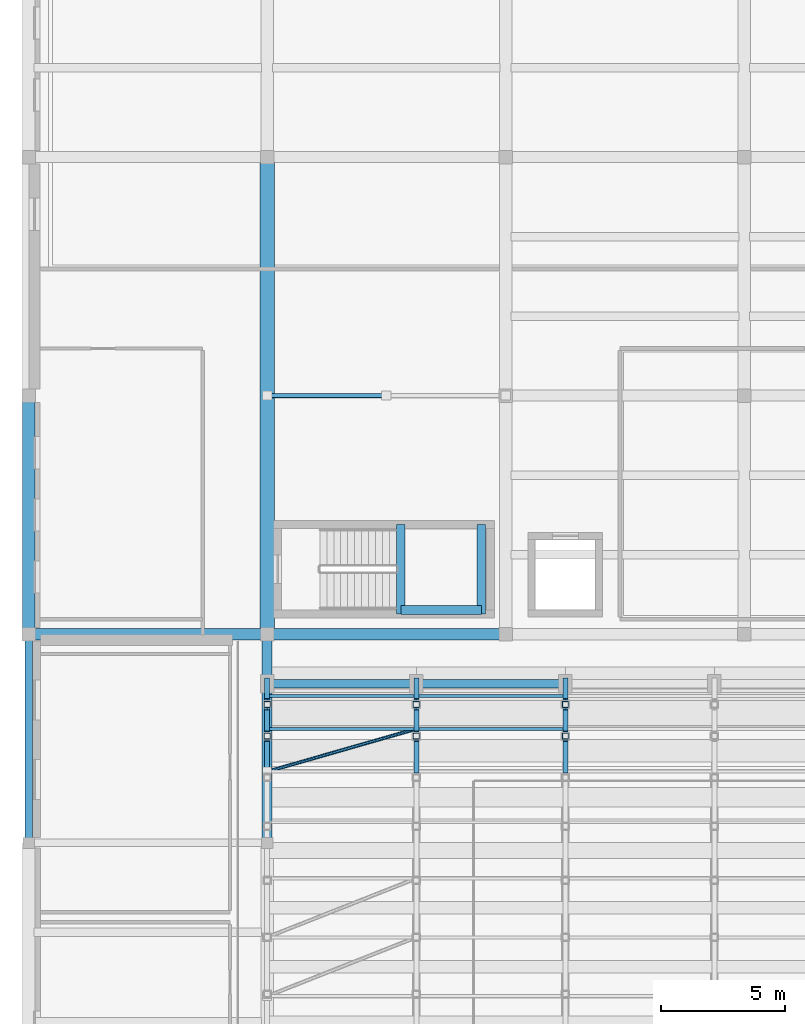
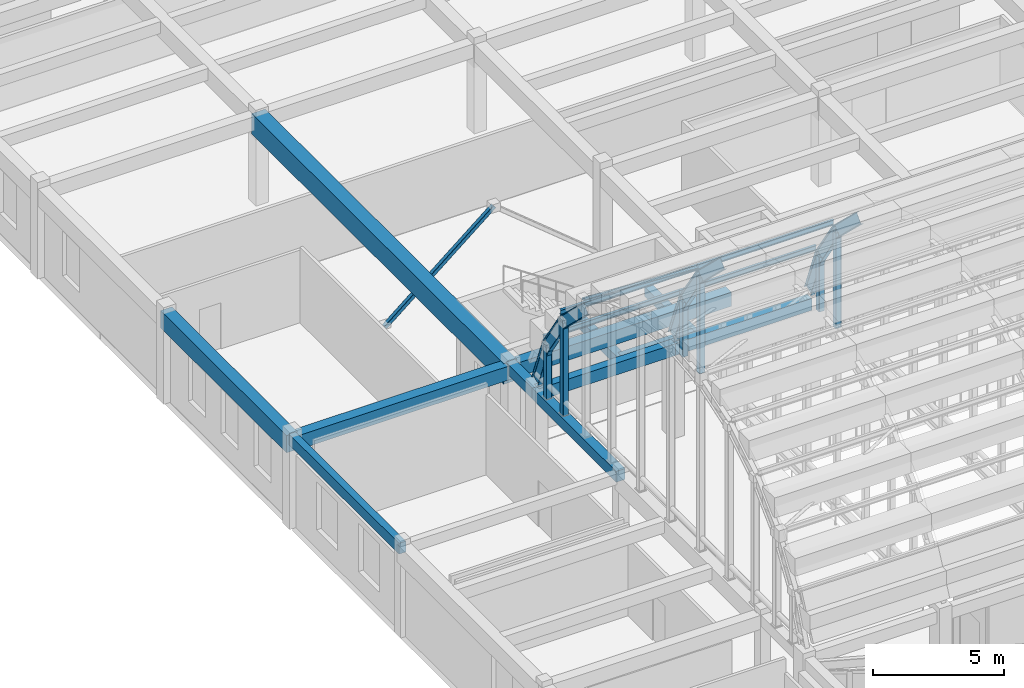
# One storey, part 16 of 91: 21 beams, 12 members.
"""IFC4 building model written with IfcOpenShell, lengths in metres."""

from ifc_helpers import new_model, si_unit, direction, frame, origin, origin_2d, place, context, subcontext, project, spatial, rectangle, hollow_rectangle, hollow_circle, i_section, extrude, material, material_profile, profile_set, type_object, element, save


model = new_model("IFC4")

# Units and contexts
model_context = context("Model", 3, precision=1e-05, world=origin(), true_north=direction((0.0, 1.0)))
body_context = subcontext(model_context, "Body", "Model", "MODEL_VIEW")
ifc_project = project(units=[si_unit("LENGTHUNIT", "METRE"), si_unit("AREAUNIT", "SQUARE_METRE"), si_unit("VOLUMEUNIT", "CUBIC_METRE"), si_unit("PLANEANGLEUNIT", "RADIAN"), si_unit("MASSUNIT", "GRAM", prefix="KILO")], contexts=[model_context])

# Site, building, storey
site_placement = place(None, origin())
site = spatial("IfcSite", under=ifc_project, at=site_placement, CompositionType="ELEMENT")
building_placement = place(site_placement, origin())
building = spatial("IfcBuilding", under=site, at=building_placement, Name="Tarnavel Promenade Courthouse", CompositionType="ELEMENT")
storey_placement = place(building_placement, frame((0.0, 0.0, 9.89990234375)))
storey = spatial("IfcBuildingStorey", under=building, at=storey_placement, Name="L03", CompositionType="ELEMENT", Elevation=9.89990234375)

# Beams
ifc_material_1 = material(Name="Concrete C40/50", Category="concrete")
ifc_material_profile_1 = material_profile(ifc_material_1, rectangle(XDim=0.5, YDim=0.800048828125, at=origin_2d()), Name="PT 500x800")
ifc_profile_set_1 = profile_set([ifc_material_profile_1], Name="Concrete C40/50")
beam_type_1 = type_object("IfcBeamType", Name="Concrete C40/50 BM-PT-500x800 (PT 500x800)", PredefinedType="T_BEAM", material=ifc_profile_set_1)
beam_1_placement = place(storey_placement, frame((0.0, 37.199951171875, 3.795166015625), z_axis=(0.0, 1.0, 0.0), x_axis=(-1.0, 0.0, 0.0)))
element("IfcBeam", 1, at=beam_1_placement, inside=storey, type_object=beam_type_1, Name="L03 Transverse Girder 1690", PredefinedType="T_BEAM", context=body_context, shape_type="SweptSolid", body=[
    extrude(rectangle(XDim=0.5, YDim=0.800048828125, at=origin_2d()), origin(), (0.0, 0.0, 1.0), 9.60009765625),
])
ifc_material_profile_2 = material_profile(ifc_material_1, rectangle(XDim=0.60009765625, YDim=0.949951171875, at=origin_2d()), Name="PT 600x950")
ifc_profile_set_2 = profile_set([ifc_material_profile_2], Name="Concrete C40/50")
beam_type_2 = type_object("IfcBeamType", Name="Concrete C40/50 BM-PT-600x950 (PT 600x950)", PredefinedType="T_BEAM", material=ifc_profile_set_2)
beam_2_placement = place(storey_placement, frame((9.60009765625, 37.199951171875, 3.72021484375), z_axis=(0.0, 1.0, 0.0), x_axis=(-1.0, 0.0, 0.0)))
element("IfcBeam", 2, at=beam_2_placement, inside=storey, type_object=beam_type_2, Name="L03 Transverse Girder 1703", PredefinedType="T_BEAM", context=body_context, shape_type="SweptSolid", body=[
    extrude(rectangle(XDim=0.60009765625, YDim=0.949951171875, at=origin_2d()), origin(), (0.0, 0.0, 1.0), 19.199951171875),
])
ifc_material_profile_3 = material_profile(ifc_material_1, rectangle(XDim=0.35009765625, YDim=0.449951171875, at=origin_2d()), Name="RC 350x450")
ifc_profile_set_3 = profile_set([ifc_material_profile_3], Name="Concrete C40/50")
beam_type_3 = type_object("IfcBeamType", Name="Concrete C40/50 BM-RC-350x450 (RC 350x450)", PredefinedType="BEAM", material=ifc_profile_set_3)
for number, where, z_axis, x_axis, name in (
    (3, (14.97998046875, 38.02001953125, 1.820068359375), (0.0, 1.0, 0.0), (-1.0, 0.0, 0.0), "L03 ST-05 Mid-Landing Support Beam Near"),
    (4, (18.219970703125, 38.02001953125, 1.820068359375), (0.0, 1.0, 0.0), (-1.0, 0.0, 0.0), "L03 ST-05 Mid-Landing Support Beam Far"),
):
    element("IfcBeam", number, at=place(storey_placement, frame(where, z_axis=z_axis, x_axis=x_axis)), inside=storey, type_object=beam_type_3, Name=name, PredefinedType="BEAM", context=body_context, shape_type="SweptSolid", body=[
        extrude(rectangle(XDim=0.35009765625, YDim=0.449951171875, at=origin_2d()), origin(), (0.0, 0.0, 1.0), 3.60009765625),
    ])
beam_3_placement = place(storey_placement, frame((14.97998046875, 38.169921875, 1.820068359375), z_axis=(1.0, 0.0, 0.0), x_axis=(0.0, 1.0, 0.0)))
element("IfcBeam", 5, at=beam_3_placement, inside=storey, type_object=beam_type_3, Name="L03 ST-05 Mid-Landing Edge Trimmer", PredefinedType="BEAM", context=body_context, shape_type="SweptSolid", body=[
    extrude(rectangle(XDim=0.35009765625, YDim=0.449951171875, at=origin_2d()), origin(), (0.0, 0.0, 1.0), 3.239990234375),
])
ifc_material_profile_4 = material_profile(ifc_material_1, rectangle(XDim=0.35009765625, YDim=0.550048828125, at=origin_2d()), Name="RC 350x550")
ifc_profile_set_4 = profile_set([ifc_material_profile_4], Name="Concrete C40/50")
beam_type_4 = type_object("IfcBeamType", Name="Concrete C40/50 BM-RC-350x550 (RC 350x550)", PredefinedType="BEAM", material=ifc_profile_set_4)
for number, where, z_axis, x_axis, name in (
    (6, (9.60009765625, 35.199951171875, 3.97021484375), (1.0, 0.0, 0.0), (0.0, 1.0, 0.0), "L03 Primary Longitudinal Beam 1549"),
    (7, (15.60009765625, 35.199951171875, 3.97021484375), (1.0, 0.0, 0.0), (0.0, 1.0, 0.0), "L03 Primary Longitudinal Beam 1550"),
):
    element("IfcBeam", number, at=place(storey_placement, frame(where, z_axis=z_axis, x_axis=x_axis)), inside=storey, type_object=beam_type_4, Name=name, PredefinedType="BEAM", context=body_context, shape_type="SweptSolid", body=[
        extrude(rectangle(XDim=0.35009765625, YDim=0.550048828125, at=origin_2d()), origin(), (0.0, 0.0, 1.0), 6.0),
    ])
ifc_material_profile_5 = material_profile(ifc_material_1, rectangle(XDim=0.39990234375, YDim=0.5, at=origin_2d()), Name="RC 400x500")
ifc_profile_set_5 = profile_set([ifc_material_profile_5], Name="Concrete C40/50")
beam_type_5 = type_object("IfcBeamType", Name="Concrete C40/50 BM-RC-400x500 (RC 400x500)", PredefinedType="BEAM", material=ifc_profile_set_5)
beam_4_placement = place(storey_placement, frame((9.60009765625, 28.800048828125, 3.9951171875), z_axis=(0.0, 1.0, 0.0), x_axis=(-1.0, 0.0, 0.0)))
element("IfcBeam", 8, at=beam_4_placement, inside=storey, type_object=beam_type_5, Name="L03 Transverse Girder 1701", PredefinedType="BEAM", context=body_context, shape_type="SweptSolid", body=[
    extrude(rectangle(XDim=0.39990234375, YDim=0.5, at=origin_2d()), origin(), (0.0, 0.0, 1.0), 6.39990234375),
])
beam_5_placement = place(storey_placement, frame((9.60009765625, 35.199951171875, 3.9951171875), z_axis=(0.0, 1.0, 0.0), x_axis=(-1.0, 0.0, 0.0)))
element("IfcBeam", 9, at=beam_5_placement, inside=storey, type_object=beam_type_5, Name="L03 Transverse Girder 1702", PredefinedType="BEAM", context=body_context, shape_type="SweptSolid", body=[
    extrude(rectangle(XDim=0.39990234375, YDim=0.5, at=origin_2d()), origin(), (0.0, 0.0, 1.0), 2.0),
])
ifc_material_profile_6 = material_profile(ifc_material_1, rectangle(XDim=0.449951171875, YDim=0.64990234375, at=origin_2d()), Name="RC 450x650")
ifc_profile_set_6 = profile_set([ifc_material_profile_6], Name="Concrete C40/50")
beam_type_6 = type_object("IfcBeamType", Name="Concrete C40/50 BM-RC-450x650 (RC 450x650)", PredefinedType="T_BEAM", material=ifc_profile_set_6)
beam_6_placement = place(storey_placement, frame((0.0, 37.199951171875, 3.8701171875), z_axis=(1.0, 0.0, 0.0), x_axis=(0.0, 1.0, 0.0)))
element("IfcBeam", 10, at=beam_6_placement, inside=storey, type_object=beam_type_6, Name="L03 Primary Longitudinal Beam 1556", PredefinedType="T_BEAM", context=body_context, shape_type="SweptSolid", body=[
    extrude(rectangle(XDim=0.449951171875, YDim=0.64990234375, at=origin_2d()), origin(), (0.0, 0.0, 1.0), 9.60009765625),
])
beam_7_placement = place(storey_placement, frame((9.60009765625, 37.199951171875, 3.8701171875), z_axis=(1.0, 0.0, 0.0), x_axis=(0.0, 1.0, 0.0)))
element("IfcBeam", 11, at=beam_7_placement, inside=storey, type_object=beam_type_6, Name="L03 Primary Longitudinal Beam 1557", PredefinedType="T_BEAM", context=body_context, shape_type="SweptSolid", body=[
    extrude(rectangle(XDim=0.449951171875, YDim=0.64990234375, at=origin_2d()), origin(), (0.0, 0.0, 1.0), 9.599853515625),
])
ifc_material_profile_7 = material_profile(ifc_material_1, rectangle(XDim=0.300048828125, YDim=0.5, at=origin_2d()), Name="RC 300x500")
ifc_profile_set_7 = profile_set([ifc_material_profile_7], Name="Concrete C40/50")
beam_type_7 = type_object("IfcBeamType", Name="Concrete C40/50 BM-SP-300x500 (RC 300x500)", PredefinedType="SPANDREL", material=ifc_profile_set_7)
beam_8_placement = place(storey_placement, frame((0.0, 28.800048828125, 3.9951171875), z_axis=(0.0, 1.0, 0.0), x_axis=(-1.0, 0.0, 0.0)))
element("IfcBeam", 12, at=beam_8_placement, inside=storey, type_object=beam_type_7, Name="L03 Transverse Girder 1689", PredefinedType="SPANDREL", context=body_context, shape_type="SweptSolid", body=[
    extrude(rectangle(XDim=0.300048828125, YDim=0.5, at=origin_2d()), origin(), (0.0, 0.0, 1.0), 8.39990234375),
])
ifc_material_2 = material(Name="Steel S355J2", Category="steel")
ifc_material_profile_8 = material_profile(ifc_material_2, i_section(OverallWidth=0.199951171875, OverallDepth=0.5, WebThickness=0.01025390625, FlangeThickness=0.01611328125, FilletRadius=0.02099609375, at=origin_2d()), Name="IPE 500")
ifc_profile_set_8 = profile_set([ifc_material_profile_8], Name="Steel S355J2")
beam_type_8 = type_object("IfcBeamType", Name="Steel S355J2 BM-AR-IPE500 (IPE 500)", PredefinedType="T_BEAM", material=ifc_profile_set_8)
beam_9_placement = place(storey_placement, frame((9.60009765625, 31.435546875, 10.160400390625), z_axis=(0.0, 0.721173265551, -0.692754733693), x_axis=(-1.0, 0.0, 0.0)))
element("IfcBeam", 13, at=beam_9_placement, inside=storey, type_object=beam_type_8, Name="V4 Barrel Vault Arch Rib 01 Chord 10", PredefinedType="T_BEAM", context=body_context, shape_type="SweptSolid", body=[
    extrude(i_section(OverallWidth=0.199951171875, OverallDepth=0.5, WebThickness=0.01025390625, FlangeThickness=0.01611328125, FilletRadius=0.02099609375, at=origin_2d()), origin(), (0.0, 0.0, 1.0), 2.30224609375),
])
for number, where, z_axis, x_axis, name in (
    (14, (9.60009765625, 33.095947265625, 8.5654296875), (0.0, 0.553794535045, -0.832653357019), (-1.0, 0.0, 0.0), "V4 Barrel Vault Arch Rib 01 Chord 11"),
    (15, (9.60009765625, 34.37109375, 6.648193359375), (0.0, 0.359973594692, -0.93296249181), (-1.0, 0.0, 0.0), "V4 Barrel Vault Arch Rib 01 Chord 12"),
):
    element("IfcBeam", number, at=place(storey_placement, frame(where, z_axis=z_axis, x_axis=x_axis)), inside=storey, type_object=beam_type_8, Name=name, PredefinedType="T_BEAM", context=body_context, shape_type="SweptSolid", body=[
        extrude(i_section(OverallWidth=0.199951171875, OverallDepth=0.5, WebThickness=0.01025390625, FlangeThickness=0.01611328125, FilletRadius=0.02099609375, at=origin_2d()), origin(), (0.0, 0.0, 1.0), 2.302490234375),
    ])
beam_10_placement = place(storey_placement, frame((15.60009765625, 31.435546875, 10.160400390625), z_axis=(0.0, 0.721173265551, -0.692754733693), x_axis=(-1.0, 0.0, 0.0)))
element("IfcBeam", 16, at=beam_10_placement, inside=storey, type_object=beam_type_8, Name="V4 Barrel Vault Arch Rib 02 Chord 10", PredefinedType="T_BEAM", context=body_context, shape_type="SweptSolid", body=[
    extrude(i_section(OverallWidth=0.199951171875, OverallDepth=0.5, WebThickness=0.01025390625, FlangeThickness=0.01611328125, FilletRadius=0.02099609375, at=origin_2d()), origin(), (0.0, 0.0, 1.0), 2.30224609375),
])
for number, where, z_axis, x_axis, name in (
    (17, (15.60009765625, 33.095947265625, 8.5654296875), (0.0, 0.553794535045, -0.832653357019), (-1.0, 0.0, 0.0), "V4 Barrel Vault Arch Rib 02 Chord 11"),
    (18, (15.60009765625, 34.37109375, 6.648193359375), (0.0, 0.359973594692, -0.93296249181), (-1.0, 0.0, 0.0), "V4 Barrel Vault Arch Rib 02 Chord 12"),
):
    element("IfcBeam", number, at=place(storey_placement, frame(where, z_axis=z_axis, x_axis=x_axis)), inside=storey, type_object=beam_type_8, Name=name, PredefinedType="T_BEAM", context=body_context, shape_type="SweptSolid", body=[
        extrude(i_section(OverallWidth=0.199951171875, OverallDepth=0.5, WebThickness=0.01025390625, FlangeThickness=0.01611328125, FilletRadius=0.02099609375, at=origin_2d()), origin(), (0.0, 0.0, 1.0), 2.302490234375),
    ])
beam_11_placement = place(storey_placement, frame((21.60009765625, 31.435546875, 10.160400390625), z_axis=(0.0, 0.721173265551, -0.692754733693), x_axis=(-1.0, 0.0, 0.0)))
element("IfcBeam", 19, at=beam_11_placement, inside=storey, type_object=beam_type_8, Name="V4 Barrel Vault Arch Rib 03 Chord 10", PredefinedType="T_BEAM", context=body_context, shape_type="SweptSolid", body=[
    extrude(i_section(OverallWidth=0.199951171875, OverallDepth=0.5, WebThickness=0.01025390625, FlangeThickness=0.01611328125, FilletRadius=0.02099609375, at=origin_2d()), origin(), (0.0, 0.0, 1.0), 2.30224609375),
])
for number, where, z_axis, x_axis, name in (
    (20, (21.60009765625, 33.095947265625, 8.5654296875), (0.0, 0.553794535045, -0.832653357019), (-1.0, 0.0, 0.0), "V4 Barrel Vault Arch Rib 03 Chord 11"),
    (21, (21.60009765625, 34.37109375, 6.648193359375), (0.0, 0.359973594692, -0.93296249181), (-1.0, 0.0, 0.0), "V4 Barrel Vault Arch Rib 03 Chord 12"),
):
    element("IfcBeam", number, at=place(storey_placement, frame(where, z_axis=z_axis, x_axis=x_axis)), inside=storey, type_object=beam_type_8, Name=name, PredefinedType="T_BEAM", context=body_context, shape_type="SweptSolid", body=[
        extrude(i_section(OverallWidth=0.199951171875, OverallDepth=0.5, WebThickness=0.01025390625, FlangeThickness=0.01611328125, FilletRadius=0.02099609375, at=origin_2d()), origin(), (0.0, 0.0, 1.0), 2.302490234375),
    ])

# Members
ifc_material_profile_9 = material_profile(ifc_material_2, hollow_circle(Radius=0.06982421875, WallThickness=0.008056640625, at=origin_2d()), Name="CHS 139.7x8")
ifc_profile_set_9 = profile_set([ifc_material_profile_9], Name="Steel S355J2")
member_type_1 = type_object("IfcMemberType", Name="Steel S355J2 MEM-BR-CHS140 (CHS 139.7x8)", PredefinedType="BRACE", material=ifc_profile_set_9)
member_1_placement = place(storey_placement, frame((9.60009765625, 31.667236328125, 10.46142578125), z_axis=(0.929253407327, 0.266457062233, -0.255907676627), x_axis=(-0.27563538244, 0.961262261793, 0.0)))
element("IfcMember", 22, at=member_1_placement, inside=storey, type_object=member_type_1, Name="V4 Barrel Vault Roof Brace 01-09", PredefinedType="BRACE", context=body_context, shape_type="SweptSolid", body=[
    extrude(hollow_circle(Radius=0.06982421875, WallThickness=0.008056640625, at=origin_2d()), origin(), (0.0, 0.0, 1.0), 6.456787109375),
])
ifc_material_profile_10 = material_profile(ifc_material_2, hollow_rectangle(XDim=0.179931640625, YDim=0.179931640625, WallThickness=0.010009765625, InnerFilletRadius=0.010009765625, OuterFilletRadius=0.02001953125, at=origin_2d()), Name="SHS 180x180x10")
ifc_profile_set_10 = profile_set([ifc_material_profile_10], Name="Steel S355J2")
member_type_2 = type_object("IfcMemberType", Name="Steel S355J2 MEM-BR-SHS180 (SHS 180x180x10)", PredefinedType="BRACE", material=ifc_profile_set_10)
member_2_placement = place(storey_placement, frame((9.60009765625, 46.800048828125, 0.0), z_axis=(0.772538993723, 0.0, 0.634967324495), x_axis=(0.0, 1.0, 0.0)))
element("IfcMember", 23, at=member_2_placement, inside=storey, type_object=member_type_2, Name="L03 V3 Chevron Brace A 045", PredefinedType="BRACE", context=body_context, shape_type="SweptSolid", body=[
    extrude(hollow_rectangle(XDim=0.179931640625, YDim=0.179931640625, WallThickness=0.010009765625, InnerFilletRadius=0.010009765625, OuterFilletRadius=0.02001953125, at=origin_2d()), origin(), (0.0, 0.0, 1.0), 6.213134765625),
])
ifc_material_profile_11 = material_profile(ifc_material_2, i_section(OverallWidth=0.1201171875, OverallDepth=0.239990234375, WebThickness=0.006103515625, FlangeThickness=0.009765625, FilletRadius=0.014892578125, at=origin_2d()), Name="IPE 240")
ifc_profile_set_11 = profile_set([ifc_material_profile_11], Name="Steel S355J2")
member_type_3 = type_object("IfcMemberType", Name="Steel S355J2 MEM-PUR-IPE240 (IPE 240)", PredefinedType="PURLIN", material=ifc_profile_set_11)
for number, where, z_axis, x_axis, name in (
    (24, (9.60009765625, 33.3876953125, 8.80908203125), (1.0, 0.0, 0.0), (0.0, 1.0, 0.0), "V4 Barrel Vault Purlin 01-10"),
    (25, (9.60009765625, 34.708740234375, 6.822998046875), (1.0, 0.0, 0.0), (0.0, 1.0, 0.0), "V4 Barrel Vault Purlin 01-11"),
    (26, (15.60009765625, 33.3876953125, 8.80908203125), (1.0, 0.0, 0.0), (0.0, 1.0, 0.0), "V4 Barrel Vault Purlin 02-10"),
    (27, (15.60009765625, 34.708740234375, 6.822998046875), (1.0, 0.0, 0.0), (0.0, 1.0, 0.0), "V4 Barrel Vault Purlin 02-11"),
):
    element("IfcMember", number, at=place(storey_placement, frame(where, z_axis=z_axis, x_axis=x_axis)), inside=storey, type_object=member_type_3, Name=name, PredefinedType="PURLIN", context=body_context, shape_type="SweptSolid", body=[
        extrude(i_section(OverallWidth=0.1201171875, OverallDepth=0.239990234375, WebThickness=0.006103515625, FlangeThickness=0.009765625, FilletRadius=0.014892578125, at=origin_2d()), origin(), (0.0, 0.0, 1.0), 6.0),
    ])
ifc_material_profile_12 = material_profile(ifc_material_2, hollow_rectangle(XDim=0.25, YDim=0.25, WallThickness=0.012451171875, InnerFilletRadius=0.012451171875, OuterFilletRadius=0.02490234375, at=origin_2d()), Name="SHS 250x250x12.5")
ifc_profile_set_12 = profile_set([ifc_material_profile_12], Name="Steel S355J2")
member_type_4 = type_object("IfcMemberType", Name="Steel S355J2 MEM-STR-SHS250 (SHS 250x250x12.5)", PredefinedType="STRUT", material=ifc_profile_set_12)
member_3_placement = place(storey_placement, frame((9.60009765625, 33.095947265625, 4.1201171875), z_axis=(0.0, 0.0, 1.0), x_axis=(1.0, 0.0, 0.0)))
element("IfcMember", 28, at=member_3_placement, inside=storey, type_object=member_type_4, Name="V4 Vault Arch Web Strut 01-10", PredefinedType="STRUT", context=body_context, shape_type="SweptSolid", body=[
    extrude(hollow_rectangle(XDim=0.25, YDim=0.25, WallThickness=0.012451171875, InnerFilletRadius=0.012451171875, OuterFilletRadius=0.02490234375, at=origin_2d()), origin(), (0.0, 0.0, 1.0), 4.4453125),
])
member_4_placement = place(storey_placement, frame((9.60009765625, 34.37109375, 4.1201171875), z_axis=(0.0, 0.0, 1.0), x_axis=(1.0, 0.0, 0.0)))
element("IfcMember", 29, at=member_4_placement, inside=storey, type_object=member_type_4, Name="V4 Vault Arch Web Strut 01-11", PredefinedType="STRUT", context=body_context, shape_type="SweptSolid", body=[
    extrude(hollow_rectangle(XDim=0.25, YDim=0.25, WallThickness=0.012451171875, InnerFilletRadius=0.012451171875, OuterFilletRadius=0.02490234375, at=origin_2d()), origin(), (0.0, 0.0, 1.0), 2.528076171875),
])
member_5_placement = place(storey_placement, frame((15.60009765625, 33.095947265625, 4.1201171875), z_axis=(0.0, 0.0, 1.0), x_axis=(1.0, 0.0, 0.0)))
element("IfcMember", 30, at=member_5_placement, inside=storey, type_object=member_type_4, Name="V4 Vault Arch Web Strut 02-10", PredefinedType="STRUT", context=body_context, shape_type="SweptSolid", body=[
    extrude(hollow_rectangle(XDim=0.25, YDim=0.25, WallThickness=0.012451171875, InnerFilletRadius=0.012451171875, OuterFilletRadius=0.02490234375, at=origin_2d()), origin(), (0.0, 0.0, 1.0), 4.4453125),
])
member_6_placement = place(storey_placement, frame((15.60009765625, 34.37109375, 4.1201171875), z_axis=(0.0, 0.0, 1.0), x_axis=(1.0, 0.0, 0.0)))
element("IfcMember", 31, at=member_6_placement, inside=storey, type_object=member_type_4, Name="V4 Vault Arch Web Strut 02-11", PredefinedType="STRUT", context=body_context, shape_type="SweptSolid", body=[
    extrude(hollow_rectangle(XDim=0.25, YDim=0.25, WallThickness=0.012451171875, InnerFilletRadius=0.012451171875, OuterFilletRadius=0.02490234375, at=origin_2d()), origin(), (0.0, 0.0, 1.0), 2.528076171875),
])
member_7_placement = place(storey_placement, frame((21.60009765625, 33.095947265625, 4.1201171875), z_axis=(0.0, 0.0, 1.0), x_axis=(1.0, 0.0, 0.0)))
element("IfcMember", 32, at=member_7_placement, inside=storey, type_object=member_type_4, Name="V4 Vault Arch Web Strut 03-10", PredefinedType="STRUT", context=body_context, shape_type="SweptSolid", body=[
    extrude(hollow_rectangle(XDim=0.25, YDim=0.25, WallThickness=0.012451171875, InnerFilletRadius=0.012451171875, OuterFilletRadius=0.02490234375, at=origin_2d()), origin(), (0.0, 0.0, 1.0), 4.4453125),
])
member_8_placement = place(storey_placement, frame((21.60009765625, 34.37109375, 4.1201171875), z_axis=(0.0, 0.0, 1.0), x_axis=(1.0, 0.0, 0.0)))
element("IfcMember", 33, at=member_8_placement, inside=storey, type_object=member_type_4, Name="V4 Vault Arch Web Strut 03-11", PredefinedType="STRUT", context=body_context, shape_type="SweptSolid", body=[
    extrude(hollow_rectangle(XDim=0.25, YDim=0.25, WallThickness=0.012451171875, InnerFilletRadius=0.012451171875, OuterFilletRadius=0.02490234375, at=origin_2d()), origin(), (0.0, 0.0, 1.0), 2.528076171875),
])

save(model, "model.ifc")
